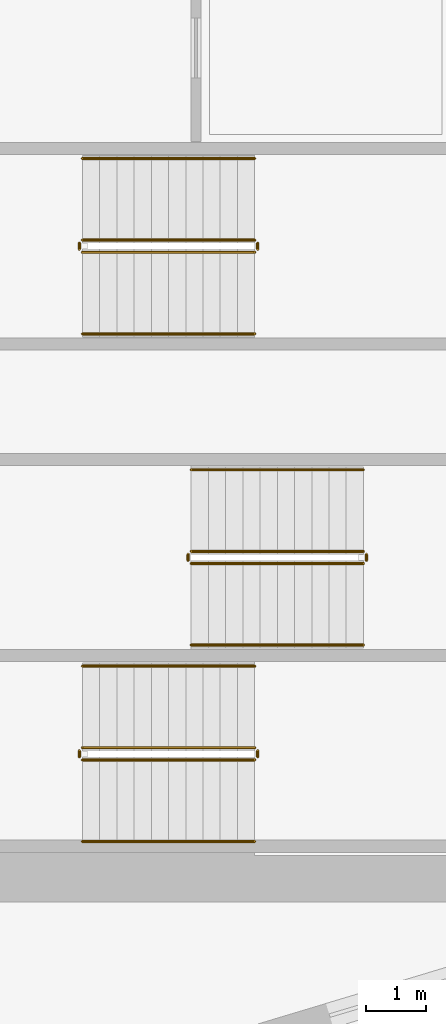
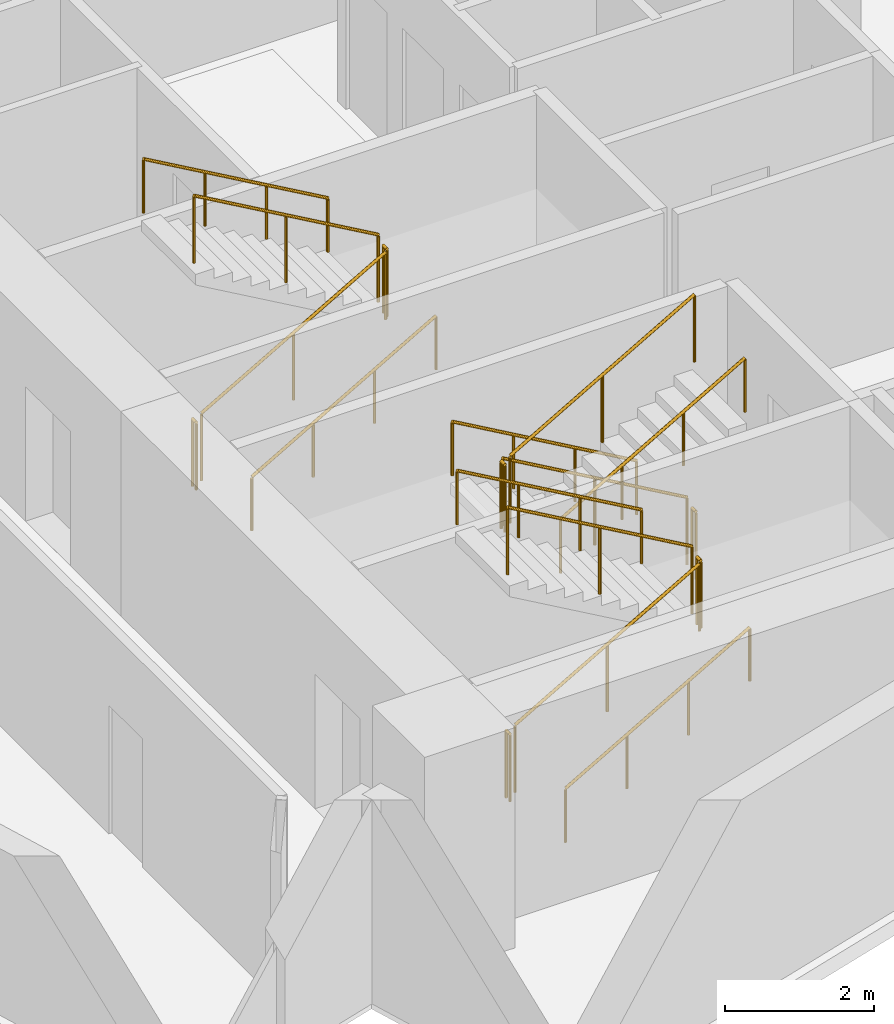
# One storey, part 13 of 14: 18 railings.
"""IFC4 building model written with IfcOpenShell, lengths in metres."""

import ifcopenshell
import ifcopenshell.guid

model = None  # the IFC model being written
_history = None  # IfcOwnerHistory: only IFC2X3 demands one
_inside = {}  # id of a spatial element -> (the spatial element, [elements in it])
_under = {}  # id of a project, library or spatial element -> (it, [spatial elements below it])
_declared = {}  # id of a project -> (the project, [libraries it declares])
_typed = {}  # id of a type object -> (the type object, [elements of that type])
_made_of = {}  # id of a material, layer set ... -> (it, [elements and type objects made of it])


def new_model(schema):
    """Start an empty IFC model of exactly this schema.

    Asked for "IFC4X3", IfcOpenShell would pick the latest addendum, in which some entities
    have other attributes; the version numbers below select the first issue.
    IFC2X3 requires an IfcOwnerHistory on every rooted entity: one is made here for all.
    """
    global model, _history
    if schema == "IFC4X3":
        model = ifcopenshell.file(schema_version=(4, 3, 0, 0))
    else:
        model = ifcopenshell.file(schema=schema)
    _inside.clear()
    _under.clear()
    _declared.clear()
    _typed.clear()
    _made_of.clear()
    _history = None
    if model.schema == "IFC2X3":
        org = make("IfcOrganization", Name="unknown")
        user = make(
            "IfcPersonAndOrganization",
            ThePerson=make("IfcPerson", FamilyName="unknown"),
            TheOrganization=org,
        )
        app = make(
            "IfcApplication",
            ApplicationDeveloper=org,
            Version="unknown",
            ApplicationFullName="unknown",
            ApplicationIdentifier="unknown",
        )
        _history = make(
            "IfcOwnerHistory",
            OwningUser=user,
            OwningApplication=app,
            ChangeAction="ADDED",
            CreationDate=0,
        )
    return model


def make(cls, **values):
    """One entity of the class cls with the attributes given. An attribute that is None is left unset."""
    return model.create_entity(
        cls, **{name: value for name, value in values.items() if value is not None}
    )


def rooted(cls, **values):
    """An entity with a GlobalId (a new one), such as an element, a storey or a relation."""
    return make(cls, GlobalId=ifcopenshell.guid.new(), OwnerHistory=_history, **values)


def si_unit(unit_type, name, prefix=None):
    """IfcSIUnit, for example si_unit("LENGTHUNIT", "METRE", prefix="MILLI")."""
    return make("IfcSIUnit", UnitType=unit_type, Prefix=prefix, Name=name)


def assignment(units):
    """IfcUnitAssignment: the units of a project."""
    return None if units is None else make("IfcUnitAssignment", Units=units)


def point(xyz):
    """IfcCartesianPoint."""
    return None if xyz is None else make("IfcCartesianPoint", Coordinates=xyz)


def direction(xyz):
    """IfcDirection."""
    return None if xyz is None else make("IfcDirection", DirectionRatios=xyz)


def frame(location, z_axis=None, x_axis=None):
    """IfcAxis2Placement3D, a coordinate frame: its origin and axes. An axis left out is left unset."""
    return make(
        "IfcAxis2Placement3D",
        Location=point(location),
        Axis=direction(z_axis),
        RefDirection=direction(x_axis),
    )


def frame_2d(location, x_axis=None):
    """IfcAxis2Placement2D, a coordinate frame in the plane: its origin and x axis."""
    return make(
        "IfcAxis2Placement2D", Location=point(location), RefDirection=direction(x_axis)
    )


def origin():
    """The frame at (0, 0, 0) with its axes left unset."""
    return frame((0.0, 0.0, 0.0))


def origin_2d():
    """The frame at (0, 0) in the plane with its x axis left unset."""
    return frame_2d((0.0, 0.0))


def place(relative_to, where):
    """IfcLocalPlacement: puts the frame where relative to a parent placement (None: the world)."""
    return make(
        "IfcLocalPlacement", PlacementRelTo=relative_to, RelativePlacement=where
    )


def context(
    kind, dimensions, precision=None, world=None, true_north=None, identifier=None
):
    """IfcGeometricRepresentationContext, for example the 3D "Model" context."""
    return make(
        "IfcGeometricRepresentationContext",
        ContextIdentifier=identifier,
        ContextType=kind,
        CoordinateSpaceDimension=dimensions,
        Precision=precision,
        WorldCoordinateSystem=world,
        TrueNorth=true_north,
    )


def subcontext(parent, identifier, kind, view, scale=None):
    """IfcGeometricRepresentationSubContext, for example "Body" below "Model"."""
    return make(
        "IfcGeometricRepresentationSubContext",
        ContextIdentifier=identifier,
        ContextType=kind,
        ParentContext=parent,
        TargetScale=scale,
        TargetView=view,
    )


def project(units=None, contexts=None):
    """IfcProject with its units and contexts."""
    return rooted(
        "IfcProject",
        Name="project",
        RepresentationContexts=contexts,
        UnitsInContext=assignment(units),
    )


def spatial(cls, under=None, at=None, **own):
    """A site, building, storey or space (cls), placed at a placement, below another one or the project."""
    s = rooted(cls, ObjectPlacement=at, **own)
    if under is not None:
        _under.setdefault(under.id(), (under, []))[1].append(s)
    return s


def profile(cls, at=None, kind="AREA", **sizes):
    """A parametric profile (cls). Its sizes go by their IFC names, for example OverallWidth=200.0."""
    return make(cls, ProfileType=kind, Position=at, **sizes)


def circle(**sizes):
    """IfcCircleProfileDef."""
    return profile("IfcCircleProfileDef", **sizes)


def extrude(swept, where, along, depth):
    """IfcExtrudedAreaSolid: the profile swept, set in the frame where, extruded along a direction by depth."""
    return make(
        "IfcExtrudedAreaSolid",
        SweptArea=swept,
        Position=where,
        ExtrudedDirection=direction(along),
        Depth=depth,
    )


def shape(context_of_items, identifier, shape_type, items):
    """IfcShapeRepresentation: the items that make up one representation, for example the "Body"."""
    return make(
        "IfcShapeRepresentation",
        ContextOfItems=context_of_items,
        RepresentationIdentifier=identifier,
        RepresentationType=shape_type,
        Items=items,
    )


def material(Name=None, Category=None):
    """IfcMaterial."""
    return make("IfcMaterial", Name=Name, Category=Category)


def made_of(thing, what):
    """Note that an element or type object is made of a material, layer set ...; save() writes the relation."""
    if what is not None:
        _made_of.setdefault(what.id(), (what, []))[1].append(thing)
    return thing


def type_object(cls, material=None, **own):
    """A type object (cls), such as IfcWallType, which elements share."""
    return made_of(rooted(cls, **own), material)


def element(
    cls,
    number,
    at=None,
    inside=None,
    cuts=None,
    type_object=None,
    material=None,
    context=None,
    identifier="Body",
    shape_type=None,
    held_by="IfcProductDefinitionShape",
    body=None,
    shapes=None,
    **own,
):
    """One element of the class cls, such as IfcWall. Its Tag is "e" and its number.

    at: its placement. inside: the storey or other place that contains it. cuts: it is an
    opening in that element (IfcRelVoidsElement). A single representation is given by context,
    identifier, shape_type and body (its items); several are given by shapes. held_by: the class
    of the entity that holds the representations. save() writes the other relations.
    """
    e = rooted(cls, Tag="e%d" % number, ObjectPlacement=at, **own)
    if body is not None:
        shapes = [shape(context, identifier, shape_type, body)]
    if shapes is not None:
        e.Representation = make(held_by, Representations=shapes)
    if inside is not None:
        _inside.setdefault(inside.id(), (inside, []))[1].append(e)
    if cuts is not None:
        rooted(
            "IfcRelVoidsElement", RelatingBuildingElement=cuts, RelatedOpeningElement=e
        )
    if type_object is not None:
        _typed.setdefault(type_object.id(), (type_object, []))[1].append(e)
    return made_of(e, material)


def aggregate(whole, parts):
    """IfcRelAggregates: a whole, such as a stair, and the parts it consists of."""
    return rooted("IfcRelAggregates", RelatingObject=whole, RelatedObjects=parts)


def save(model, path):
    """Write the relations noted so far, then the file.

    IfcRelAggregates (storeys below a building ...), IfcRelContainedInSpatialStructure (elements
    in a storey), IfcRelDefinesByType, IfcRelAssociatesMaterial and IfcRelDeclares: one each for
    every whole, place, type object, material and project.
    """
    for whole, parts in _under.values():
        aggregate(whole, parts)
    for where, things in _inside.values():
        rooted(
            "IfcRelContainedInSpatialStructure",
            RelatedElements=things,
            RelatingStructure=where,
        )
    for kind, things in _typed.values():
        rooted("IfcRelDefinesByType", RelatedObjects=things, RelatingType=kind)
    for what, things in _made_of.values():
        rooted("IfcRelAssociatesMaterial", RelatedObjects=things, RelatingMaterial=what)
    for by, libraries in _declared.values():
        rooted("IfcRelDeclares", RelatingContext=by, RelatedDefinitions=libraries)
    model.write(path)


model = new_model("IFC4")

# Units and contexts
model_context = context("Model", 3, precision=1e-05, world=origin(), true_north=direction((0.0, 1.0)))
body_context = subcontext(model_context, "Body", "Model", "MODEL_VIEW")
ifc_project = project(units=[si_unit("LENGTHUNIT", "METRE"), si_unit("AREAUNIT", "SQUARE_METRE"), si_unit("VOLUMEUNIT", "CUBIC_METRE"), si_unit("PLANEANGLEUNIT", "RADIAN"), si_unit("MASSUNIT", "GRAM", prefix="KILO")], contexts=[model_context])

# Site, building, storey
site_placement = place(None, origin())
site = spatial("IfcSite", under=ifc_project, at=site_placement, CompositionType="ELEMENT")
building_placement = place(site_placement, origin())
building = spatial("IfcBuilding", under=site, at=building_placement, Name="Narakoshi Arena Tower", CompositionType="ELEMENT")
storey_placement = place(building_placement, frame((0.0, 0.0, 135.89990234375)))
storey = spatial("IfcBuildingStorey", under=building, at=storey_placement, Name="L36", CompositionType="ELEMENT", Elevation=135.89990234375)

# Railings
ifc_material_1 = material(Name="Clear low-iron laminated structural glass", Category="glass")
railing_type_1 = type_object("IfcRailingType", Name="RL-BAL-1100", PredefinedType="BALUSTRADE", material=ifc_material_1)
railing_1_placement = place(storey_placement, frame((74.39990234375, 36.949951171875, 0.163818359375)))
element("IfcRailing", 1, at=railing_1_placement, inside=storey, type_object=railing_type_1, Name="L36 ST1 stair guard 1", PredefinedType="BALUSTRADE", context=body_context, shape_type="SweptSolid", body=[
    extrude(circle(Radius=0.02392578125, at=origin_2d()), frame((0.0, 0.0, 1.09619140625), z_axis=(0.867244780686, 0.0, 0.497882004468), x_axis=(0.0, 1.0, 0.0)), (0.0, 0.0, 1.0), 3.286376953125),
    extrude(circle(Radius=0.02099609375, at=origin_2d()), origin(), (0.0, 0.0, 1.0), 1.072021484375),
    extrude(circle(Radius=0.02099609375, at=origin_2d()), frame((1.425048828125, 0.0, 0.818115234375)), (0.0, 0.0, 1.0), 1.072021484375),
    extrude(circle(Radius=0.02099609375, at=origin_2d()), frame((2.85009765625, 0.0, 1.63623046875)), (0.0, 0.0, 1.0), 1.072021484375),
])
railing_2_placement = place(storey_placement, frame((77.300048828125, 37.0, 1.800048828125)))
element("IfcRailing", 2, at=railing_2_placement, inside=storey, type_object=railing_type_1, Name="L36 ST1 stair guard 2", PredefinedType="BALUSTRADE", context=body_context, shape_type="SweptSolid", body=[
    extrude(circle(Radius=0.02392578125, at=origin_2d()), frame((0.0, 0.0, 1.09619140625), z_axis=(0.0, 1.0, 0.0), x_axis=(-1.0, 0.0, 0.0)), (0.0, 0.0, 1.0), 0.10009765625),
    extrude(circle(Radius=0.02099609375, at=origin_2d()), origin(), (0.0, 0.0, 1.0), 1.072021484375),
    extrude(circle(Radius=0.02099609375, at=origin_2d()), frame((0.0, 0.10009765625, 0.0)), (0.0, 0.0, 1.0), 1.072021484375),
])
railing_3_placement = place(storey_placement, frame((77.25, 37.14990234375, 1.963623046875)))
element("IfcRailing", 3, at=railing_3_placement, inside=storey, type_object=railing_type_1, Name="L36 ST1 stair guard 3", PredefinedType="BALUSTRADE", context=body_context, shape_type="SweptSolid", body=[
    extrude(circle(Radius=0.02392578125, at=origin_2d()), frame((0.0, 0.0, 1.09619140625), z_axis=(-0.86721270334, 0.0, 0.497937874806), x_axis=(0.0, -1.0, 0.0)), (0.0, 0.0, 1.0), 3.28662109375),
    extrude(circle(Radius=0.02099609375, at=origin_2d()), origin(), (0.0, 0.0, 1.0), 1.072021484375),
    extrude(circle(Radius=0.02099609375, at=origin_2d()), frame((-1.425048828125, 0.0, 0.818359375)), (0.0, 0.0, 1.0), 1.072021484375),
    extrude(circle(Radius=0.02099609375, at=origin_2d()), frame((-2.85009765625, 0.0, 1.636474609375)), (0.0, 0.0, 1.0), 1.072021484375),
])
railing_4_placement = place(storey_placement, frame((74.35009765625, 37.0, 0.0)))
element("IfcRailing", 4, at=railing_4_placement, inside=storey, type_object=railing_type_1, Name="L36 ST1 stair guard 4", PredefinedType="BALUSTRADE", context=body_context, shape_type="SweptSolid", body=[
    extrude(circle(Radius=0.02392578125, at=origin_2d()), frame((0.0, 0.0, 1.09619140625), z_axis=(0.0, 1.0, 0.0), x_axis=(-1.0, 0.0, 0.0)), (0.0, 0.0, 1.0), 0.10009765625),
    extrude(circle(Radius=0.02099609375, at=origin_2d()), origin(), (0.0, 0.0, 1.0), 1.072021484375),
    extrude(circle(Radius=0.02099609375, at=origin_2d()), frame((0.0, 0.10009765625, 0.0)), (0.0, 0.0, 1.0), 1.072021484375),
])
railing_5_placement = place(storey_placement, frame((79.050048828125, 40.39990234375, 0.163818359375)))
element("IfcRailing", 5, at=railing_5_placement, inside=storey, type_object=railing_type_1, Name="L36 ST2 stair guard 1", PredefinedType="BALUSTRADE", context=body_context, shape_type="SweptSolid", body=[
    extrude(circle(Radius=0.02392578125, at=origin_2d()), frame((0.0, 0.0, 1.09619140625), z_axis=(-0.867244780686, 0.0, 0.497882004468), x_axis=(0.0, -1.0, 0.0)), (0.0, 0.0, 1.0), 3.286376953125),
    extrude(circle(Radius=0.02099609375, at=origin_2d()), origin(), (0.0, 0.0, 1.0), 1.072021484375),
    extrude(circle(Radius=0.02099609375, at=origin_2d()), frame((-1.425048828125, 0.0, 0.818115234375)), (0.0, 0.0, 1.0), 1.072021484375),
    extrude(circle(Radius=0.02099609375, at=origin_2d()), frame((-2.85009765625, 0.0, 1.63623046875)), (0.0, 0.0, 1.0), 1.072021484375),
])
railing_6_placement = place(storey_placement, frame((76.14990234375, 40.35009765625, 1.800048828125)))
element("IfcRailing", 6, at=railing_6_placement, inside=storey, type_object=railing_type_1, Name="L36 ST2 stair guard 2", PredefinedType="BALUSTRADE", context=body_context, shape_type="SweptSolid", body=[
    extrude(circle(Radius=0.02392578125, at=origin_2d()), frame((0.0, 0.0, 1.09619140625), z_axis=(0.0, -1.0, 0.0), x_axis=(1.0, 0.0, 0.0)), (0.0, 0.0, 1.0), 0.10009765625),
    extrude(circle(Radius=0.02099609375, at=origin_2d()), origin(), (0.0, 0.0, 1.0), 1.072021484375),
    extrude(circle(Radius=0.02099609375, at=origin_2d()), frame((0.0, -0.10009765625, 0.0)), (0.0, 0.0, 1.0), 1.072021484375),
])
railing_7_placement = place(storey_placement, frame((76.199951171875, 40.199951171875, 1.963623046875)))
element("IfcRailing", 7, at=railing_7_placement, inside=storey, type_object=railing_type_1, Name="L36 ST2 stair guard 3", PredefinedType="BALUSTRADE", context=body_context, shape_type="SweptSolid", body=[
    extrude(circle(Radius=0.02392578125, at=origin_2d()), frame((0.0, 0.0, 1.09619140625), z_axis=(0.86721270334, 0.0, 0.497937874806), x_axis=(0.0, 1.0, 0.0)), (0.0, 0.0, 1.0), 3.28662109375),
    extrude(circle(Radius=0.02099609375, at=origin_2d()), origin(), (0.0, 0.0, 1.0), 1.072021484375),
    extrude(circle(Radius=0.02099609375, at=origin_2d()), frame((1.425048828125, 0.0, 0.818359375)), (0.0, 0.0, 1.0), 1.072021484375),
    extrude(circle(Radius=0.02099609375, at=origin_2d()), frame((2.85009765625, 0.0, 1.636474609375)), (0.0, 0.0, 1.0), 1.072021484375),
])
railing_8_placement = place(storey_placement, frame((79.10009765625, 40.35009765625, 0.0)))
element("IfcRailing", 8, at=railing_8_placement, inside=storey, type_object=railing_type_1, Name="L36 ST2 stair guard 4", PredefinedType="BALUSTRADE", context=body_context, shape_type="SweptSolid", body=[
    extrude(circle(Radius=0.02392578125, at=origin_2d()), frame((0.0, 0.0, 1.09619140625), z_axis=(0.0, -1.0, 0.0), x_axis=(1.0, 0.0, 0.0)), (0.0, 0.0, 1.0), 0.10009765625),
    extrude(circle(Radius=0.02099609375, at=origin_2d()), origin(), (0.0, 0.0, 1.0), 1.072021484375),
    extrude(circle(Radius=0.02099609375, at=origin_2d()), frame((0.0, -0.10009765625, 0.0)), (0.0, 0.0, 1.0), 1.072021484375),
])
railing_9_placement = place(storey_placement, frame((74.39990234375, 45.35009765625, 0.163818359375)))
element("IfcRailing", 9, at=railing_9_placement, inside=storey, type_object=railing_type_1, Name="L36 ST3 stair guard 1", PredefinedType="BALUSTRADE", context=body_context, shape_type="SweptSolid", body=[
    extrude(circle(Radius=0.02392578125, at=origin_2d()), frame((0.0, 0.0, 1.09619140625), z_axis=(0.867244780686, 0.0, 0.497882004468), x_axis=(0.0, 1.0, 0.0)), (0.0, 0.0, 1.0), 3.286376953125),
    extrude(circle(Radius=0.02099609375, at=origin_2d()), origin(), (0.0, 0.0, 1.0), 1.072021484375),
    extrude(circle(Radius=0.02099609375, at=origin_2d()), frame((1.425048828125, 0.0, 0.818115234375)), (0.0, 0.0, 1.0), 1.072021484375),
    extrude(circle(Radius=0.02099609375, at=origin_2d()), frame((2.85009765625, 0.0, 1.63623046875)), (0.0, 0.0, 1.0), 1.072021484375),
])
railing_10_placement = place(storey_placement, frame((77.300048828125, 45.39990234375, 1.800048828125)))
element("IfcRailing", 10, at=railing_10_placement, inside=storey, type_object=railing_type_1, Name="L36 ST3 stair guard 2", PredefinedType="BALUSTRADE", context=body_context, shape_type="SweptSolid", body=[
    extrude(circle(Radius=0.02392578125, at=origin_2d()), frame((0.0, 0.0, 1.09619140625), z_axis=(0.0, 1.0, 0.0), x_axis=(-1.0, 0.0, 0.0)), (0.0, 0.0, 1.0), 0.10009765625),
    extrude(circle(Radius=0.02099609375, at=origin_2d()), origin(), (0.0, 0.0, 1.0), 1.072021484375),
    extrude(circle(Radius=0.02099609375, at=origin_2d()), frame((0.0, 0.10009765625, 0.0)), (0.0, 0.0, 1.0), 1.072021484375),
])
railing_11_placement = place(storey_placement, frame((77.25, 45.550048828125, 1.963623046875)))
element("IfcRailing", 11, at=railing_11_placement, inside=storey, type_object=railing_type_1, Name="L36 ST3 stair guard 3", PredefinedType="BALUSTRADE", context=body_context, shape_type="SweptSolid", body=[
    extrude(circle(Radius=0.02392578125, at=origin_2d()), frame((0.0, 0.0, 1.09619140625), z_axis=(-0.86721270334, 0.0, 0.497937874806), x_axis=(0.0, -1.0, 0.0)), (0.0, 0.0, 1.0), 3.28662109375),
    extrude(circle(Radius=0.02099609375, at=origin_2d()), origin(), (0.0, 0.0, 1.0), 1.072021484375),
    extrude(circle(Radius=0.02099609375, at=origin_2d()), frame((-1.425048828125, 0.0, 0.818359375)), (0.0, 0.0, 1.0), 1.072021484375),
    extrude(circle(Radius=0.02099609375, at=origin_2d()), frame((-2.85009765625, 0.0, 1.636474609375)), (0.0, 0.0, 1.0), 1.072021484375),
])
railing_12_placement = place(storey_placement, frame((74.35009765625, 45.39990234375, 0.0)))
element("IfcRailing", 12, at=railing_12_placement, inside=storey, type_object=railing_type_1, Name="L36 ST3 stair guard 4", PredefinedType="BALUSTRADE", context=body_context, shape_type="SweptSolid", body=[
    extrude(circle(Radius=0.02392578125, at=origin_2d()), frame((0.0, 0.0, 1.09619140625), z_axis=(0.0, 1.0, 0.0), x_axis=(-1.0, 0.0, 0.0)), (0.0, 0.0, 1.0), 0.10009765625),
    extrude(circle(Radius=0.02099609375, at=origin_2d()), origin(), (0.0, 0.0, 1.0), 1.072021484375),
    extrude(circle(Radius=0.02099609375, at=origin_2d()), frame((0.0, 0.10009765625, 0.0)), (0.0, 0.0, 1.0), 1.072021484375),
])
ifc_material_2 = material(Name="Brushed bronze stainless steel", Category="steel")
railing_type_2 = type_object("IfcRailingType", Name="RL-HND-900", PredefinedType="HANDRAIL", material=ifc_material_2)
railing_13_placement = place(storey_placement, frame((74.39990234375, 35.60009765625, 0.163818359375)))
element("IfcRailing", 13, at=railing_13_placement, inside=storey, type_object=railing_type_2, Name="L36 ST1 stair handrail 1", PredefinedType="HANDRAIL", context=body_context, shape_type="SweptSolid", body=[
    extrude(circle(Radius=0.02392578125, at=origin_2d()), frame((0.0, 0.0, 0.8759765625), z_axis=(0.867244780686, 0.0, 0.497882004468), x_axis=(0.0, 1.0, 0.0)), (0.0, 0.0, 1.0), 3.286376953125),
    extrude(circle(Radius=0.02099609375, at=origin_2d()), origin(), (0.0, 0.0, 1.0), 0.851806640625),
    extrude(circle(Radius=0.02099609375, at=origin_2d()), frame((0.949951171875, 0.0, 0.54541015625)), (0.0, 0.0, 1.0), 0.851806640625),
    extrude(circle(Radius=0.02099609375, at=origin_2d()), frame((1.900146484375, 0.0, 1.0908203125)), (0.0, 0.0, 1.0), 0.851806640625),
    extrude(circle(Radius=0.02099609375, at=origin_2d()), frame((2.85009765625, 0.0, 1.63623046875)), (0.0, 0.0, 1.0), 0.851806640625),
])
railing_14_placement = place(storey_placement, frame((77.25, 38.5, 1.963623046875)))
element("IfcRailing", 14, at=railing_14_placement, inside=storey, type_object=railing_type_2, Name="L36 ST1 stair handrail 2", PredefinedType="HANDRAIL", context=body_context, shape_type="SweptSolid", body=[
    extrude(circle(Radius=0.02392578125, at=origin_2d()), frame((0.0, 0.0, 0.8759765625), z_axis=(-0.86721270334, 0.0, 0.497937874806), x_axis=(0.0, -1.0, 0.0)), (0.0, 0.0, 1.0), 3.28662109375),
    extrude(circle(Radius=0.02099609375, at=origin_2d()), origin(), (0.0, 0.0, 1.0), 0.851806640625),
    extrude(circle(Radius=0.02099609375, at=origin_2d()), frame((-0.949951171875, 0.0, 0.54541015625)), (0.0, 0.0, 1.0), 0.851806640625),
    extrude(circle(Radius=0.02099609375, at=origin_2d()), frame((-1.900146484375, 0.0, 1.091064453125)), (0.0, 0.0, 1.0), 0.851806640625),
    extrude(circle(Radius=0.02099609375, at=origin_2d()), frame((-2.85009765625, 0.0, 1.636474609375)), (0.0, 0.0, 1.0), 0.851806640625),
])
railing_15_placement = place(storey_placement, frame((79.050048828125, 41.75, 0.163818359375)))
element("IfcRailing", 15, at=railing_15_placement, inside=storey, type_object=railing_type_2, Name="L36 ST2 stair handrail 1", PredefinedType="HANDRAIL", context=body_context, shape_type="SweptSolid", body=[
    extrude(circle(Radius=0.02392578125, at=origin_2d()), frame((0.0, 0.0, 0.8759765625), z_axis=(-0.867244780686, 0.0, 0.497882004468), x_axis=(0.0, -1.0, 0.0)), (0.0, 0.0, 1.0), 3.286376953125),
    extrude(circle(Radius=0.02099609375, at=origin_2d()), origin(), (0.0, 0.0, 1.0), 0.851806640625),
    extrude(circle(Radius=0.02099609375, at=origin_2d()), frame((-0.949951171875, 0.0, 0.54541015625)), (0.0, 0.0, 1.0), 0.851806640625),
    extrude(circle(Radius=0.02099609375, at=origin_2d()), frame((-1.900146484375, 0.0, 1.0908203125)), (0.0, 0.0, 1.0), 0.851806640625),
    extrude(circle(Radius=0.02099609375, at=origin_2d()), frame((-2.85009765625, 0.0, 1.63623046875)), (0.0, 0.0, 1.0), 0.851806640625),
])
railing_16_placement = place(storey_placement, frame((76.199951171875, 38.85009765625, 1.963623046875)))
element("IfcRailing", 16, at=railing_16_placement, inside=storey, type_object=railing_type_2, Name="L36 ST2 stair handrail 2", PredefinedType="HANDRAIL", context=body_context, shape_type="SweptSolid", body=[
    extrude(circle(Radius=0.02392578125, at=origin_2d()), frame((0.0, 0.0, 0.8759765625), z_axis=(0.86721270334, 0.0, 0.497937874806), x_axis=(0.0, 1.0, 0.0)), (0.0, 0.0, 1.0), 3.28662109375),
    extrude(circle(Radius=0.02099609375, at=origin_2d()), origin(), (0.0, 0.0, 1.0), 0.851806640625),
    extrude(circle(Radius=0.02099609375, at=origin_2d()), frame((0.949951171875, 0.0, 0.54541015625)), (0.0, 0.0, 1.0), 0.851806640625),
    extrude(circle(Radius=0.02099609375, at=origin_2d()), frame((1.900146484375, 0.0, 1.091064453125)), (0.0, 0.0, 1.0), 0.851806640625),
    extrude(circle(Radius=0.02099609375, at=origin_2d()), frame((2.85009765625, 0.0, 1.636474609375)), (0.0, 0.0, 1.0), 0.851806640625),
])
railing_17_placement = place(storey_placement, frame((74.39990234375, 44.0, 0.163818359375)))
element("IfcRailing", 17, at=railing_17_placement, inside=storey, type_object=railing_type_2, Name="L36 ST3 stair handrail 1", PredefinedType="HANDRAIL", context=body_context, shape_type="SweptSolid", body=[
    extrude(circle(Radius=0.02392578125, at=origin_2d()), frame((0.0, 0.0, 0.8759765625), z_axis=(0.867244780686, 0.0, 0.497882004468), x_axis=(0.0, 1.0, 0.0)), (0.0, 0.0, 1.0), 3.286376953125),
    extrude(circle(Radius=0.02099609375, at=origin_2d()), origin(), (0.0, 0.0, 1.0), 0.851806640625),
    extrude(circle(Radius=0.02099609375, at=origin_2d()), frame((0.949951171875, 0.0, 0.54541015625)), (0.0, 0.0, 1.0), 0.851806640625),
    extrude(circle(Radius=0.02099609375, at=origin_2d()), frame((1.900146484375, 0.0, 1.0908203125)), (0.0, 0.0, 1.0), 0.851806640625),
    extrude(circle(Radius=0.02099609375, at=origin_2d()), frame((2.85009765625, 0.0, 1.63623046875)), (0.0, 0.0, 1.0), 0.851806640625),
])
railing_18_placement = place(storey_placement, frame((77.25, 46.89990234375, 1.963623046875)))
element("IfcRailing", 18, at=railing_18_placement, inside=storey, type_object=railing_type_2, Name="L36 ST3 stair handrail 2", PredefinedType="HANDRAIL", context=body_context, shape_type="SweptSolid", body=[
    extrude(circle(Radius=0.02392578125, at=origin_2d()), frame((0.0, 0.0, 0.8759765625), z_axis=(-0.86721270334, 0.0, 0.497937874806), x_axis=(0.0, -1.0, 0.0)), (0.0, 0.0, 1.0), 3.28662109375),
    extrude(circle(Radius=0.02099609375, at=origin_2d()), origin(), (0.0, 0.0, 1.0), 0.851806640625),
    extrude(circle(Radius=0.02099609375, at=origin_2d()), frame((-0.949951171875, 0.0, 0.54541015625)), (0.0, 0.0, 1.0), 0.851806640625),
    extrude(circle(Radius=0.02099609375, at=origin_2d()), frame((-1.900146484375, 0.0, 1.091064453125)), (0.0, 0.0, 1.0), 0.851806640625),
    extrude(circle(Radius=0.02099609375, at=origin_2d()), frame((-2.85009765625, 0.0, 1.636474609375)), (0.0, 0.0, 1.0), 0.851806640625),
])

save(model, "model.ifc")
